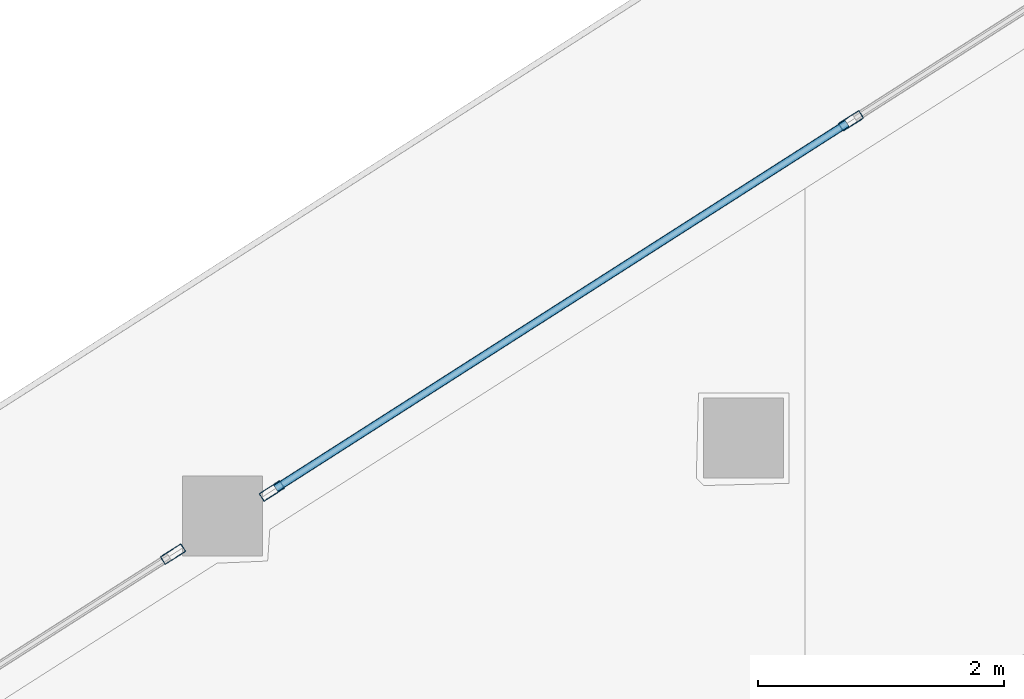
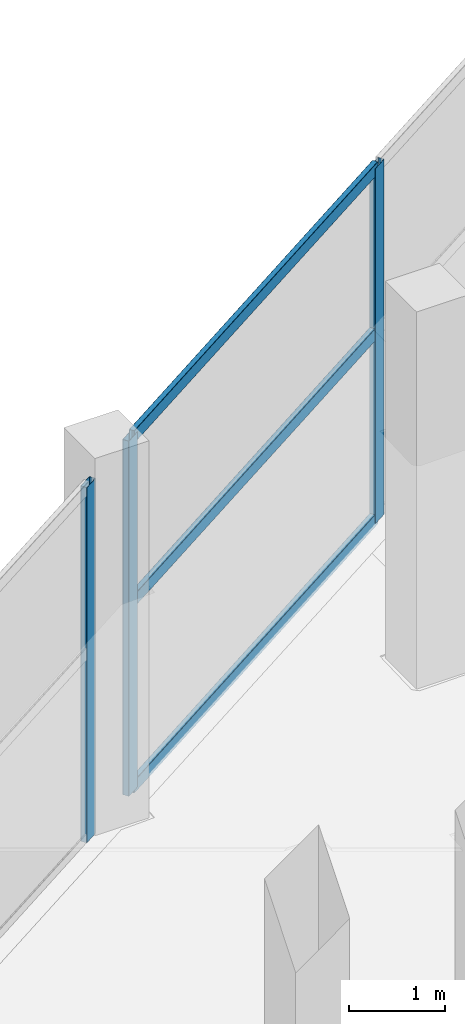
# One storey, part 16 of 42: 6 members, 2 elements without a shape of their own.
"""IFC4 building model written with IfcOpenShell, lengths in metres."""

from ifc_helpers import new_model, si_unit, direction, frame, origin, origin_2d, place, context, subcontext, project, spatial, hollow_rectangle, extrude, material, layer, layer_set, material_profile, profile_set, type_object, element, aggregate, save


model = new_model("IFC4")

# Units and contexts
model_context = context("Model", 3, precision=1e-05, world=origin(), true_north=direction((0.0, 1.0)))
body_context = subcontext(model_context, "Body", "Model", "MODEL_VIEW")
ifc_project = project(units=[si_unit("LENGTHUNIT", "METRE"), si_unit("AREAUNIT", "SQUARE_METRE"), si_unit("VOLUMEUNIT", "CUBIC_METRE"), si_unit("PLANEANGLEUNIT", "RADIAN"), si_unit("MASSUNIT", "GRAM", prefix="KILO")], contexts=[model_context])

# Site, building, storey
site_placement = place(None, origin())
site = spatial("IfcSite", under=ifc_project, at=site_placement, CompositionType="ELEMENT")
building_placement = place(site_placement, origin())
building = spatial("IfcBuilding", under=site, at=building_placement, Name="Qorvath Tower", CompositionType="ELEMENT")
storey_placement = place(building_placement, frame((0.0, 0.0, 105.0)))
storey = spatial("IfcBuildingStorey", under=building, at=storey_placement, Name="L23", CompositionType="ELEMENT", Elevation=105.0)

# Curtain wall, members
ifc_material_1 = material(Name="Anodised aluminium and triple low-E glass", Category="aluminium")
ifc_layer = layer(ifc_material_1, 0.179931640625)
ifc_layer_set = layer_set([ifc_layer], Name="CW-SYS-5")
curtain_wall_type = type_object("IfcCurtainWallType", Name="CW-SYS-5", PredefinedType="NOTDEFINED", material=ifc_layer_set)
curtain_wall_1_placement = place(storey_placement, origin())
curtain_wall_1 = element("IfcCurtainWall", 1, at=curtain_wall_1_placement, inside=storey, type_object=curtain_wall_type, Name="Curtain Wall CW-5 CW-T-L23-16.2", PredefinedType="NOTDEFINED")
ifc_material_2 = material(Name="Anodised aluminium 6063-T6", Category="aluminium")
ifc_material_profile_1 = material_profile(ifc_material_2, hollow_rectangle(XDim=0.074951171875, YDim=0.199951171875, WallThickness=0.00390625, InnerFilletRadius=0.00390625, OuterFilletRadius=0.008056640625, at=origin_2d()), Name="CWM 200x75")
ifc_profile_set_1 = profile_set([ifc_material_profile_1], Name="Anodised aluminium 6063-T6")
member_type_1 = type_object("IfcMemberType", Name="CWM-200", PredefinedType="MULLION", material=ifc_profile_set_1)
member_1_placement = place(storey_placement, frame((-30.14453125, 22.038818359375, 0.0), z_axis=(0.0, 0.0, 1.0), x_axis=(0.538542779135, -0.84259816938, 0.0)))
member_1 = element("IfcMember", 2, at=member_1_placement, type_object=member_type_1, Name="CW-5 mullion 2", PredefinedType="MULLION", context=body_context, shape_type="SweptSolid", body=[
    extrude(hollow_rectangle(XDim=0.074951171875, YDim=0.199951171875, WallThickness=0.00390625, InnerFilletRadius=0.00390625, OuterFilletRadius=0.008056640625, at=origin_2d()), origin(), (0.0, 0.0, 1.0), 4.52001953125),
])
member_2_placement = place(storey_placement, frame((-34.85009765625, 19.031494140625, 0.0), z_axis=(0.0, 0.0, 1.0), x_axis=(0.538542779135, -0.84259816938, 0.0)))
member_2 = element("IfcMember", 3, at=member_2_placement, type_object=member_type_1, Name="CW-5 mullion 3", PredefinedType="MULLION", context=body_context, shape_type="SweptSolid", body=[
    extrude(hollow_rectangle(XDim=0.074951171875, YDim=0.199951171875, WallThickness=0.00390625, InnerFilletRadius=0.00390625, OuterFilletRadius=0.008056640625, at=origin_2d()), origin(), (0.0, 0.0, 1.0), 4.52001953125),
])

# Curtain wall, member
curtain_wall_2_placement = place(storey_placement, origin())
curtain_wall_2 = element("IfcCurtainWall", 4, at=curtain_wall_2_placement, inside=storey, type_object=curtain_wall_type, Name="Curtain Wall CW-5 CW-T-L23-16.3", PredefinedType="NOTDEFINED")
member_3_placement = place(storey_placement, frame((-35.653076171875, 18.51806640625, 0.0), z_axis=(0.0, 0.0, 1.0), x_axis=(0.538531788579, -0.842605193842, 0.0)))
member_3 = element("IfcMember", 5, at=member_3_placement, type_object=member_type_1, Name="CW-5 mullion 1", PredefinedType="MULLION", context=body_context, shape_type="SweptSolid", body=[
    extrude(hollow_rectangle(XDim=0.074951171875, YDim=0.199951171875, WallThickness=0.00390625, InnerFilletRadius=0.00390625, OuterFilletRadius=0.008056640625, at=origin_2d()), origin(), (0.0, 0.0, 1.0), 4.52001953125),
])
aggregate(curtain_wall_2, [member_3])

# Member
ifc_material_3 = material(Name="Anodised aluminium 6063-T6", Category="aluminium")
ifc_material_profile_2 = material_profile(ifc_material_3, hollow_rectangle(XDim=0.06494140625, YDim=0.159912109375, WallThickness=0.00341796875, InnerFilletRadius=0.00341796875, OuterFilletRadius=0.007080078125, at=origin_2d()), Name="CWT 160x65")
ifc_profile_set_2 = profile_set([ifc_material_profile_2], Name="Anodised aluminium 6063-T6")
member_type_2 = type_object("IfcMemberType", Name="CWT-160", PredefinedType="USERDEFINED", material=ifc_profile_set_2)
member_4_placement = place(storey_placement, frame((-30.17626953125, 22.0185546875, 0.032470703125), z_axis=(-0.842592366518, -0.53855185812, 0.0), x_axis=(0.53855185812, -0.842592366518, 0.0)))
member_4 = element("IfcMember", 6, at=member_4_placement, type_object=member_type_2, Name="CW-5 transom 2.1", ObjectType="TRANSOM", PredefinedType="USERDEFINED", context=body_context, shape_type="SweptSolid", body=[
    extrude(hollow_rectangle(XDim=0.06494140625, YDim=0.159912109375, WallThickness=0.00341796875, InnerFilletRadius=0.00341796875, OuterFilletRadius=0.007080078125, at=origin_2d()), origin(), (0.0, 0.0, 1.0), 5.50927734375),
])

member_5_placement = place(storey_placement, frame((-30.17626953125, 22.0185546875, 2.39990234375), z_axis=(-0.842592366518, -0.53855185812, 0.0), x_axis=(0.53855185812, -0.842592366518, 0.0)))
member_5 = element("IfcMember", 7, at=member_5_placement, type_object=member_type_2, Name="CW-5 transom 2.2", ObjectType="TRANSOM", PredefinedType="USERDEFINED", context=body_context, shape_type="SweptSolid", body=[
    extrude(hollow_rectangle(XDim=0.06494140625, YDim=0.159912109375, WallThickness=0.00341796875, InnerFilletRadius=0.00341796875, OuterFilletRadius=0.007080078125, at=origin_2d()), origin(), (0.0, 0.0, 1.0), 5.50927734375),
])

member_6_placement = place(storey_placement, frame((-30.17626953125, 22.0185546875, 4.487548828125), z_axis=(-0.842592366518, -0.53855185812, 0.0), x_axis=(0.53855185812, -0.842592366518, 0.0)))
member_6 = element("IfcMember", 8, at=member_6_placement, type_object=member_type_2, Name="CW-5 transom 2.3", ObjectType="TRANSOM", PredefinedType="USERDEFINED", context=body_context, shape_type="SweptSolid", body=[
    extrude(hollow_rectangle(XDim=0.06494140625, YDim=0.159912109375, WallThickness=0.00341796875, InnerFilletRadius=0.00341796875, OuterFilletRadius=0.007080078125, at=origin_2d()), origin(), (0.0, 0.0, 1.0), 5.50927734375),
])

aggregate(curtain_wall_1, [member_1, member_2, member_4, member_5, member_6])

save(model, "model.ifc")
